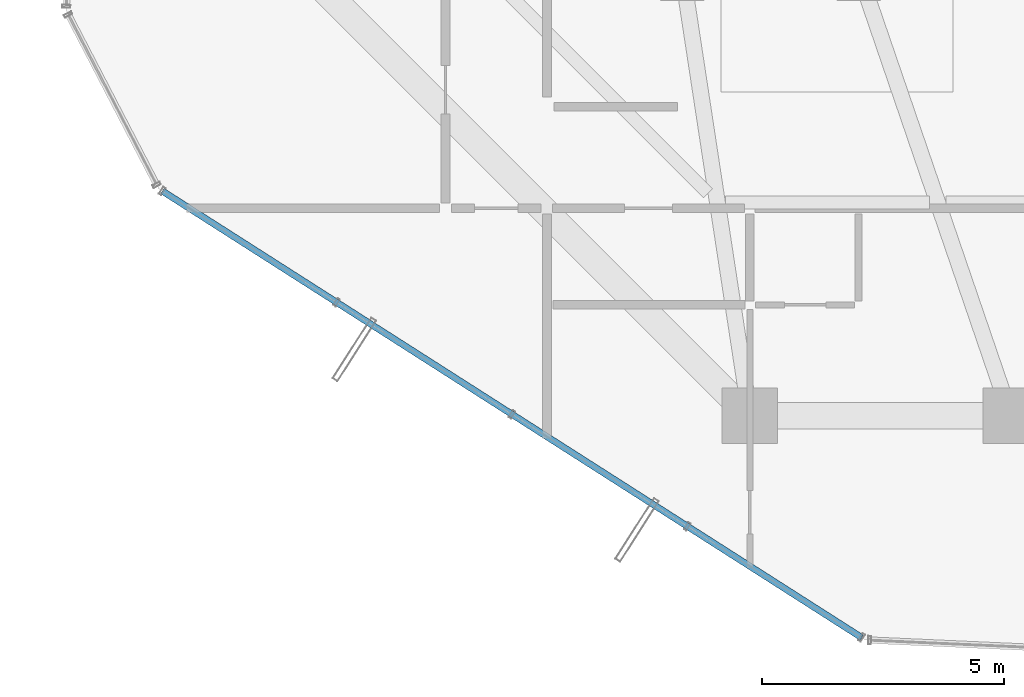
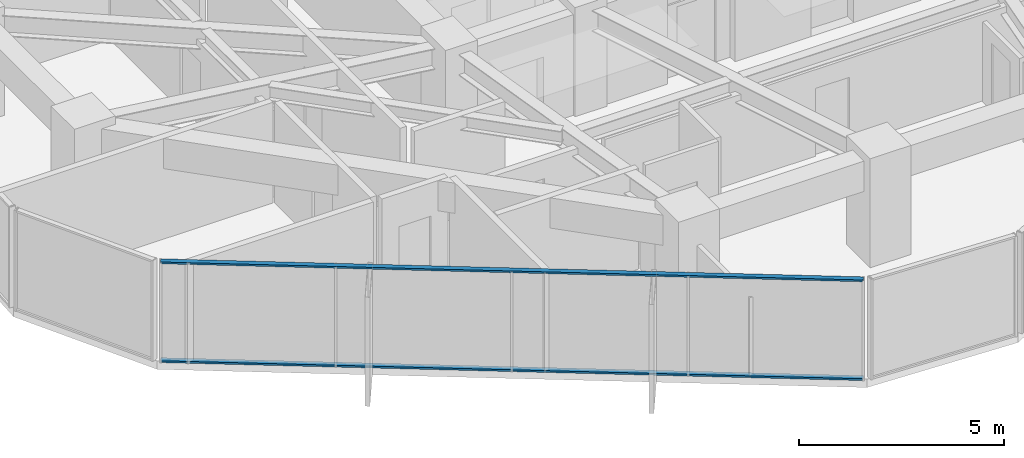
# One storey, part 3 of 30: 2 members, 1 element without a shape of its own.
"""IFC4 building model written with IfcOpenShell, lengths in metres."""

from ifc_helpers import new_model, si_unit, direction, frame, origin, origin_2d, place, context, subcontext, project, spatial, hollow_rectangle, extrude, source, transform, mapped, material, layer, layer_set, material_profile, profile_set, type_object, element, aggregate, save


model = new_model("IFC4")

# Units and contexts
model_context = context("Model", 3, precision=1e-05, world=origin(), true_north=direction((0.0, 1.0)))
body_context = subcontext(model_context, "Body", "Model", "MODEL_VIEW")
ifc_project = project(units=[si_unit("LENGTHUNIT", "METRE"), si_unit("AREAUNIT", "SQUARE_METRE"), si_unit("VOLUMEUNIT", "CUBIC_METRE"), si_unit("PLANEANGLEUNIT", "RADIAN"), si_unit("MASSUNIT", "GRAM", prefix="KILO")], contexts=[model_context])

# Site, building, storey
site_placement = place(None, origin())
site = spatial("IfcSite", under=ifc_project, at=site_placement, CompositionType="ELEMENT")
building_placement = place(site_placement, origin())
building = spatial("IfcBuilding", under=site, at=building_placement, Name="Veraguas Prism Commons", CompositionType="ELEMENT")
storey_placement = place(building_placement, frame((0.0, 0.0, 119.75)))
storey = spatial("IfcBuildingStorey", under=building, at=storey_placement, Name="L33", CompositionType="ELEMENT", Elevation=119.75)

# Curtain wall, members
ifc_material = material(Name="Anodised aluminium EN AW-6063 T6", Category="aluminium")
ifc_layer = layer(ifc_material, 0.169921875, Name="Unitised Flush Curtain Wall Zone 2", Category="aluminium")
ifc_layer_set = layer_set([ifc_layer], Name="Anodised aluminium EN AW-6063 T6")
curtain_wall_type = type_object("IfcCurtainWallType", Name="Unitised Flush Curtain Wall Zone 2", PredefinedType="NOTDEFINED", material=ifc_layer_set)
curtain_wall_placement = place(storey_placement, origin())
curtain_wall = element("IfcCurtainWall", 1, at=curtain_wall_placement, inside=storey, type_object=curtain_wall_type, Name="Tower Facade Curtain Wall L33-F4", PredefinedType="NOTDEFINED")
ifc_material_profile = material_profile(ifc_material, hollow_rectangle(XDim=0.054931640625, YDim=0.135009765625, WallThickness=0.0029296875, at=origin_2d()), Name="AL55X135X3")
ifc_profile_set = profile_set([ifc_material_profile], Name="Anodised aluminium EN AW-6063 T6")
member_type = type_object("IfcMemberType", Name="Curtain Wall Transom Standard AL 55x135x3", PredefinedType="USERDEFINED", material=ifc_profile_set)
shared_shape = source(origin(), body_context, "Body", "SweptSolid", [
    extrude(hollow_rectangle(XDim=0.054931640625, YDim=0.135009765625, WallThickness=0.0029296875, at=origin_2d()), origin(), (0.0, 0.0, 1.0), 17.17431640625),
])
member_1_placement = place(storey_placement, frame((6.43896484375, 12.453857421875, 0.027587890625), z_axis=(0.842825764403, -0.53818652051, 0.0), x_axis=(0.0, 0.0, 1.0)))
member_1 = element("IfcMember", 2, at=member_1_placement, type_object=member_type, Name="CW-Z2 Transom 1", ObjectType="TRANSOM", PredefinedType="USERDEFINED", context=body_context, shape_type="MappedRepresentation", body=[
    mapped(shared_shape, transform((0.0, 0.0, 0.0), scale=1.0)),
])
member_2_placement = place(storey_placement, frame((6.43896484375, 12.453857421875, 2.972412109375), z_axis=(0.842825764403, -0.53818652051, 0.0), x_axis=(0.0, 0.0, 1.0)))
member_2 = element("IfcMember", 3, at=member_2_placement, type_object=member_type, Name="CW-Z2 Transom 2", ObjectType="TRANSOM", PredefinedType="USERDEFINED", context=body_context, shape_type="MappedRepresentation", body=[
    mapped(shared_shape, transform((0.0, 0.0, 0.0), scale=1.0)),
])
aggregate(curtain_wall, [member_1, member_2])

save(model, "model.ifc")
